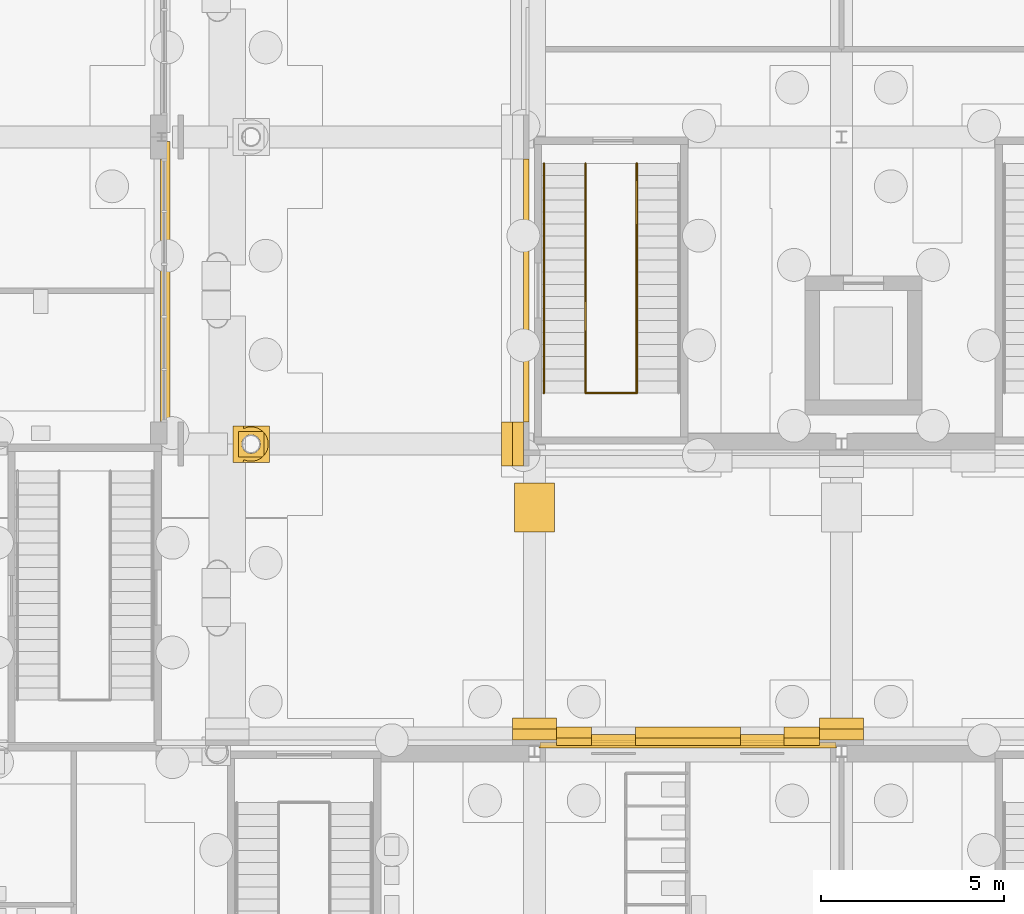
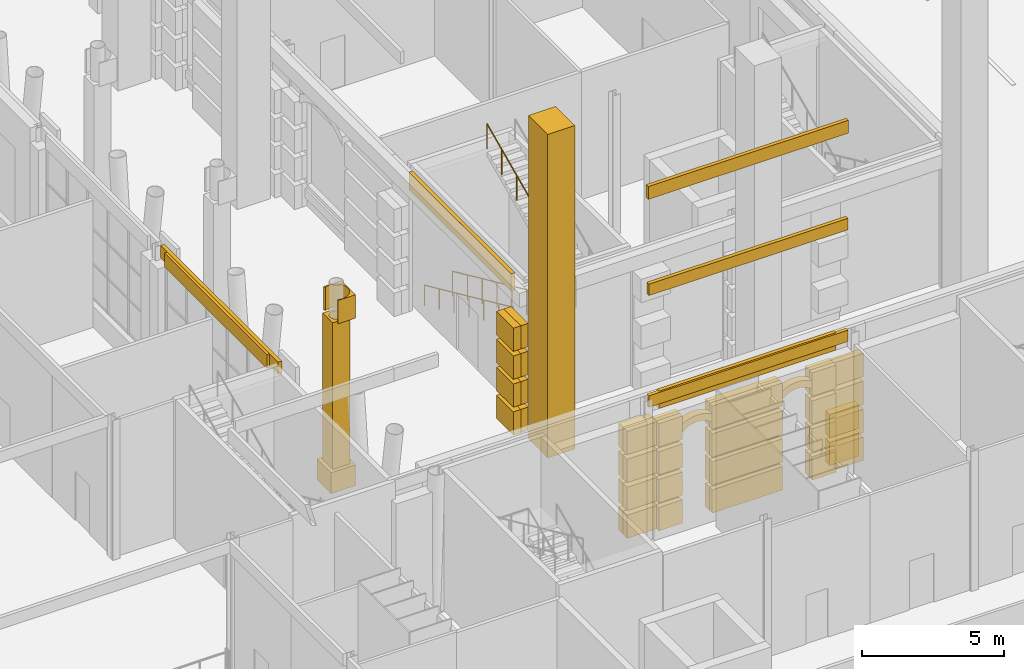
# One storey, part 147 of 222: 59 coverings, 4 railings.
"""IFC4 building model written with IfcOpenShell, lengths in metres."""

from ifc_helpers import new_model, si_unit, direction, frame, origin, origin_2d, place, context, subcontext, project, spatial, polyline, rectangle, circle, outline, extrude, material, layer, layer_set, type_object, element, save


model = new_model("IFC4")

# Units and contexts
model_context = context("Model", 3, precision=1e-05, world=origin(), true_north=direction((0.0, 1.0)))
body_context = subcontext(model_context, "Body", "Model", "MODEL_VIEW")
ifc_project = project(units=[si_unit("LENGTHUNIT", "METRE"), si_unit("AREAUNIT", "SQUARE_METRE"), si_unit("VOLUMEUNIT", "CUBIC_METRE"), si_unit("PLANEANGLEUNIT", "RADIAN"), si_unit("MASSUNIT", "GRAM", prefix="KILO")], contexts=[model_context])

# Site, building, storey
site_placement = place(None, origin())
site = spatial("IfcSite", under=ifc_project, at=site_placement, CompositionType="ELEMENT")
building_placement = place(site_placement, origin())
building = spatial("IfcBuilding", under=site, at=building_placement, Name="Sava Quay Ferry Terminal", CompositionType="ELEMENT")
storey_placement = place(building_placement, origin())
storey = spatial("IfcBuildingStorey", under=building, at=storey_placement, Name="L00", CompositionType="ELEMENT", Elevation=0.0)

# Coverings
ifc_material_1 = material(Name="Limestone Mutalj", Category="masonry")
ifc_layer_1 = layer(ifc_material_1, 0.300048828125)
ifc_layer_set_1 = layer_set([ifc_layer_1], Name="Limestone Mutalj")
covering_type_1 = type_object("IfcCoveringType", Name="Arch band 280", PredefinedType="MOLDING", material=ifc_layer_set_1)
for number, where, z_axis, x_axis, name in (
    (1, (93.96875, 50.56005859375, 3.89990234375), (0.0, -1.0, 0.0), (0.766042844353, 0.0, 0.642789515017), "Arch band"),
    (2, (98.03125, 50.56005859375, 3.89990234375), (0.0, -1.0, 0.0), (0.766042844353, 0.0, 0.642789515017), "Arch band"),
):
    element("IfcCovering", number, at=place(storey_placement, frame(where, z_axis=z_axis, x_axis=x_axis)), inside=storey, type_object=covering_type_1, Name=name, PredefinedType="MOLDING", context=body_context, shape_type="SweptSolid", body=[
        extrude(outline(polyline([(0.0, 0.0), (0.1564834757725232, 0.0), (0.29290987034562144, -0.02428279209876255), (0.4140838634817109, -0.06636278232810475), (0.522890396081421, -0.12356147789515273), (0.6202108720586751, -0.19406883930165053), (0.706733197838947, -0.2778246842578833), (0.781769466996763, -0.374889195053566), (0.8444382756181996, -0.4870724111869544), (0.8918546828026273, -0.6170528254509224), (0.9192140087876302, -0.771316031813653), (1.14849024937354, -0.4980766285911245), (1.098846716569099, -0.3703705716175788), (1.0380911714997962, -0.2562870425513622), (0.9674188801474346, -0.15364195753662468), (0.8881454730732465, -0.0616270455684631), (0.8002107679875174, 0.020445599778596002), (0.7043026713157206, 0.09263616079426751), (0.5997332766323826, 0.15488445518883656), (0.48656276622721817, 0.20650257653682963), (0.3634755095389949, 0.24668225383334366), (0.2292762405859099, 0.27323940322252854), (0.0, 0.0)])), origin(), (0.0, 0.0, -1.0), 0.300048828125),
    ])
ifc_material_2 = material(Name="Copper patinated")
ifc_layer_2 = layer(ifc_material_2, 0.25)
ifc_layer_set_2 = layer_set([ifc_layer_2], Name="Copper patinated")
covering_type_2 = type_object("IfcCoveringType", Name="Copper spandrel panel 250", PredefinedType="CLADDING", material=ifc_layer_set_2)
covering_1_placement = place(storey_placement, frame((82.300048828125, 59.39990234375, 5.39990234375), z_axis=(0.0, 0.0, 1.0), x_axis=(0.0, 1.0, 0.0)))
element("IfcCovering", 3, at=covering_1_placement, inside=storey, type_object=covering_type_2, Name="Spandrel panel D-E", PredefinedType="CLADDING", context=body_context, shape_type="SweptSolid", body=[
    extrude(outline(polyline([(0.0, 0.0), (7.2001953125, 0.0), (7.199951171875, 0.60009765625), (0.0, 0.60009765625), (0.0, 0.0)])), frame((0.0, 0.125, 0.0), z_axis=(0.0, -1.0, 0.0), x_axis=(1.0, 0.0, 0.0)), (0.0, 0.0, 1.0), 0.25),
])

# Railings
ifc_material_3 = material(Name="Steel S355", Category="steel")
railing_type_1 = type_object("IfcRailingType", Name="Guard 1100", PredefinedType="GUARDRAIL", material=ifc_material_3)
railing_1_placement = place(storey_placement, frame((93.800048828125, 66.469970703125, 0.14990234375)))
element("IfcRailing", 4, at=railing_1_placement, inside=storey, type_object=railing_type_1, Name="Guard at stair well ST-O1 L00", PredefinedType="GUARDRAIL", context=body_context, shape_type="SweptSolid", body=[
    extrude(circle(Radius=0.02392578125, at=origin_2d()), frame((0.0, 0.0, 1.076171875), z_axis=(0.0, -0.910361621584, 0.413813627068), x_axis=(1.0, 0.0, 0.0)), (0.0, 0.0, 1.0), 6.887451171875),
    extrude(circle(Radius=0.02099609375, at=origin_2d()), origin(), (0.0, 0.0, 1.0), 1.052001953125),
    extrude(circle(Radius=0.02099609375, at=origin_2d()), frame((0.0, -1.044921875, 0.47509765625)), (0.0, 0.0, 1.0), 1.052001953125),
    extrude(circle(Radius=0.02099609375, at=origin_2d()), frame((0.0, -2.090087890625, 0.949951171875)), (0.0, 0.0, 1.0), 1.052001953125),
    extrude(circle(Radius=0.02099609375, at=origin_2d()), frame((0.0, -3.135009765625, 1.425048828125)), (0.0, 0.0, 1.0), 1.052001953125),
    extrude(circle(Radius=0.02099609375, at=origin_2d()), frame((0.0, -4.179931640625, 1.900146484375)), (0.0, 0.0, 1.0), 1.052001953125),
    extrude(circle(Radius=0.02099609375, at=origin_2d()), frame((0.0, -5.22509765625, 2.375)), (0.0, 0.0, 1.0), 1.052001953125),
    extrude(circle(Radius=0.02099609375, at=origin_2d()), frame((0.0, -6.27001953125, 2.85009765625)), (0.0, 0.0, 1.0), 1.052001953125),
])
railing_2_placement = place(storey_placement, frame((95.199951171875, 60.199951171875, 3.14990234375)))
element("IfcRailing", 5, at=railing_2_placement, inside=storey, type_object=railing_type_1, Name="Guard at stair well ST-O1 L00", PredefinedType="GUARDRAIL", context=body_context, shape_type="SweptSolid", body=[
    extrude(circle(Radius=0.02392578125, at=origin_2d()), frame((0.0, 0.0, 1.076171875), z_axis=(0.0, 0.910361621584, 0.413813627068), x_axis=(-1.0, 0.0, 0.0)), (0.0, 0.0, 1.0), 6.887451171875),
    extrude(circle(Radius=0.02099609375, at=origin_2d()), origin(), (0.0, 0.0, 1.0), 1.052001953125),
    extrude(circle(Radius=0.02099609375, at=origin_2d()), frame((0.0, 1.044921875, 0.47509765625)), (0.0, 0.0, 1.0), 1.052001953125),
    extrude(circle(Radius=0.02099609375, at=origin_2d()), frame((0.0, 2.090087890625, 0.949951171875)), (0.0, 0.0, 1.0), 1.052001953125),
    extrude(circle(Radius=0.02099609375, at=origin_2d()), frame((0.0, 3.135009765625, 1.425048828125)), (0.0, 0.0, 1.0), 1.052001953125),
    extrude(circle(Radius=0.02099609375, at=origin_2d()), frame((0.0, 4.179931640625, 1.900146484375)), (0.0, 0.0, 1.0), 1.052001953125),
    extrude(circle(Radius=0.02099609375, at=origin_2d()), frame((0.0, 5.22509765625, 2.375)), (0.0, 0.0, 1.0), 1.052001953125),
    extrude(circle(Radius=0.02099609375, at=origin_2d()), frame((0.0, 6.27001953125, 2.85009765625)), (0.0, 0.0, 1.0), 1.052001953125),
])
railing_3_placement = place(storey_placement, frame((93.800048828125, 60.199951171875, 3.0)))
element("IfcRailing", 6, at=railing_3_placement, inside=storey, type_object=railing_type_1, Name="Guard at half landing ST-O1 L00", PredefinedType="GUARDRAIL", context=body_context, shape_type="SweptSolid", body=[
    extrude(circle(Radius=0.02392578125, at=origin_2d()), frame((0.0, 0.0, 1.076171875), z_axis=(1.0, 0.0, 0.0), x_axis=(0.0, 1.0, 0.0)), (0.0, 0.0, 1.0), 1.39990234375),
    extrude(circle(Radius=0.02099609375, at=origin_2d()), origin(), (0.0, 0.0, 1.0), 1.052001953125),
    extrude(circle(Radius=0.02099609375, at=origin_2d()), frame((0.699951171875, 0.0, 0.0)), (0.0, 0.0, 1.0), 1.052001953125),
    extrude(circle(Radius=0.02099609375, at=origin_2d()), frame((1.39990234375, 0.0, 0.0)), (0.0, 0.0, 1.0), 1.052001953125),
])

# Coverings
ifc_material_4 = material(Name="Limestone Mutalj", Category="masonry")
ifc_layer_3 = layer(ifc_material_4, 0.14990234375)
ifc_layer_set_3 = layer_set([ifc_layer_3], Name="Limestone Mutalj")
covering_type_3 = type_object("IfcCoveringType", Name="Limestone string course 150", PredefinedType="CLADDING", material=ifc_layer_set_3)
covering_2_placement = place(storey_placement, frame((0.0, 0.0, 5.25)))
element("IfcCovering", 7, at=covering_2_placement, inside=storey, type_object=covering_type_3, Name="String course P-N", PredefinedType="CLADDING", context=body_context, shape_type="SweptSolid", body=[
    extrude(outline(polyline([(93.0, 50.56005859375), (100.199951171875, 50.56005859375), (100.199951171875, 50.7099609375), (93.0, 50.7099609375), (93.0, 50.56005859375)])), origin(), (0.0, 0.0, 1.0), 0.75),
])
covering_3_placement = place(storey_placement, frame((0.0, 0.0, 5.25)))
element("IfcCovering", 8, at=covering_3_placement, inside=storey, type_object=covering_type_3, Name="String course O-W", PredefinedType="CLADDING", context=body_context, shape_type="SweptSolid", body=[
    extrude(outline(polyline([(92.25, 59.39990234375), (92.25, 66.60009765625), (92.10009765625, 66.60009765625), (92.10009765625, 59.39990234375), (92.25, 59.39990234375)])), origin(), (0.0, 0.0, 1.0), 0.75),
])
ifc_material_5 = material(Name="Limestone Mutalj", Category="masonry")
ifc_layer_4 = layer(ifc_material_5, 1.35009765625)
ifc_layer_set_4 = layer_set([ifc_layer_4], Name="Limestone Mutalj")
covering_type_4 = type_object("IfcCoveringType", Name="Portico pier 1100", PredefinedType="CLADDING", material=ifc_layer_set_4)
covering_4_placement = place(storey_placement, frame((92.39990234375, 57.06494140625, 0.0), z_axis=(0.0, 0.0, 1.0), x_axis=(1.0, 0.0, 0.0)))
element("IfcCovering", 9, at=covering_4_placement, inside=storey, type_object=covering_type_4, Name="Portico pier", PredefinedType="CLADDING", context=body_context, shape_type="SweptSolid", body=[
    extrude(rectangle(XDim=1.10009765625, YDim=1.35009765625, at=origin_2d()), origin(), (0.0, 0.0, 1.0), 13.89990234375),
])
ifc_material_6 = material(Name="Limestone Mutalj", Category="masonry")
ifc_layer_5 = layer(ifc_material_6, 1.0)
ifc_layer_set_5 = layer_set([ifc_layer_5], Name="Limestone Mutalj")
covering_type_5 = type_object("IfcCoveringType", Name="Post pier capital 1000", PredefinedType="MOLDING", material=ifc_layer_set_5)
covering_5_placement = place(storey_placement, frame((0.0, 0.0, 7.199951171875)))
element("IfcCovering", 10, at=covering_5_placement, inside=storey, type_object=covering_type_5, Name="Post pier capital", PredefinedType="MOLDING", context=body_context, shape_type="SweptSolid", body=[
    extrude(outline(polyline([(85.14990234375, 58.300048828125), (85.14990234375, 59.300048828125), (84.425048828125, 59.300048828125), (84.43505859375, 59.279052734375), (84.451904296875, 59.22607421875), (84.470947265625, 59.235107421875), (84.512939453125, 59.2490234375), (84.55908203125, 59.260986328125), (84.60498046875, 59.26806640625), (84.64892578125, 59.27001953125), (84.695068359375, 59.26806640625), (84.740966796875, 59.260986328125), (84.787109375, 59.2490234375), (84.8310546875, 59.23388671875), (84.87109375, 59.215087890625), (84.912109375, 59.18994140625), (84.948974609375, 59.1630859375), (84.98193359375, 59.133056640625), (85.012939453125, 59.09912109375), (85.041015625, 59.06005859375), (85.06494140625, 59.02099609375), (85.0849609375, 58.97900390625), (85.10009765625, 58.93505859375), (85.111083984375, 58.89306640625), (85.117919921875, 58.844970703125), (85.1201171875, 58.799072265625), (85.117919921875, 58.7548828125), (85.111083984375, 58.708984375), (85.10009765625, 58.6650390625), (85.083984375, 58.618896484375), (85.06396484375, 58.577880859375), (85.0400390625, 58.5380859375), (85.012939453125, 58.5009765625), (84.98291015625, 58.468017578125), (84.948974609375, 58.43701171875), (84.912109375, 58.409912109375), (84.87109375, 58.385009765625), (84.8310546875, 58.365966796875), (84.787109375, 58.35107421875), (84.740966796875, 58.339111328125), (84.695068359375, 58.33203125), (84.64892578125, 58.330078125), (84.60498046875, 58.33203125), (84.55908203125, 58.339111328125), (84.512939453125, 58.35107421875), (84.470947265625, 58.364990234375), (84.451904296875, 58.3740234375), (84.43505859375, 58.321044921875), (84.425048828125, 58.300048828125), (85.14990234375, 58.300048828125)])), origin(), (0.0, 0.0, 1.0), 1.0),
])
ifc_material_7 = material(Name="Limestone Mutalj", Category="masonry")
ifc_layer_6 = layer(ifc_material_7, 1.0)
ifc_layer_set_6 = layer_set([ifc_layer_6], Name="Limestone Mutalj")
covering_type_6 = type_object("IfcCoveringType", Name="Post pier plinth 1000", PredefinedType="MOLDING", material=ifc_layer_set_6)
covering_6_placement = place(storey_placement, origin())
element("IfcCovering", 11, at=covering_6_placement, inside=storey, type_object=covering_type_6, Name="Post pier plinth", PredefinedType="MOLDING", context=body_context, shape_type="SweptSolid", body=[
    extrude(outline(polyline([(84.14990234375, 58.300048828125), (85.14990234375, 58.300048828125), (85.14990234375, 59.300048828125), (84.14990234375, 59.300048828125), (84.14990234375, 58.300048828125)]), holes=[polyline([(84.89990234375, 58.85009765625), (84.905029296875, 58.800048828125), (84.89990234375, 58.75), (84.885986328125, 58.701904296875), (84.862060546875, 58.657958984375), (84.830078125, 58.6201171875), (84.7919921875, 58.587890625), (84.748046875, 58.56396484375), (84.699951171875, 58.550048828125), (84.64990234375, 58.544921875), (84.60009765625, 58.550048828125), (84.552001953125, 58.56396484375), (84.508056640625, 58.587890625), (84.469970703125, 58.6201171875), (84.43798828125, 58.657958984375), (84.4140625, 58.701904296875), (84.39990234375, 58.75), (84.39501953125, 58.800048828125), (84.39990234375, 58.85009765625), (84.4140625, 58.89794921875), (84.43798828125, 58.94189453125), (84.469970703125, 58.97998046875), (84.508056640625, 59.011962890625), (84.552001953125, 59.035888671875), (84.60009765625, 59.050048828125), (84.64990234375, 59.054931640625), (84.699951171875, 59.050048828125), (84.748046875, 59.035888671875), (84.7919921875, 59.011962890625), (84.830078125, 58.97998046875), (84.862060546875, 58.94189453125), (84.885986328125, 58.89794921875), (84.89990234375, 58.85009765625)])]), origin(), (0.0, 0.0, 1.0), 0.89990234375),
])
ifc_material_8 = material(Name="Limestone Mutalj", Category="masonry")
ifc_layer_7 = layer(ifc_material_8, 0.699951171875)
ifc_layer_set_7 = layer_set([ifc_layer_7], Name="Limestone Mutalj")
covering_type_7 = type_object("IfcCoveringType", Name="Post pier shaft 700", PredefinedType="CLADDING", material=ifc_layer_set_7)
covering_7_placement = place(storey_placement, frame((0.0, 0.0, 0.89990234375)))
element("IfcCovering", 12, at=covering_7_placement, inside=storey, type_object=covering_type_7, Name="Post pier shaft", PredefinedType="CLADDING", context=body_context, shape_type="SweptSolid", body=[
    extrude(outline(polyline([(84.300048828125, 58.449951171875), (85.0, 58.449951171875), (85.0, 59.14990234375), (84.300048828125, 59.14990234375), (84.300048828125, 58.449951171875)]), holes=[polyline([(84.89990234375, 58.85009765625), (84.905029296875, 58.800048828125), (84.89990234375, 58.75), (84.885986328125, 58.701904296875), (84.862060546875, 58.657958984375), (84.830078125, 58.6201171875), (84.7919921875, 58.587890625), (84.748046875, 58.56396484375), (84.699951171875, 58.550048828125), (84.64990234375, 58.544921875), (84.60009765625, 58.550048828125), (84.552001953125, 58.56396484375), (84.508056640625, 58.587890625), (84.469970703125, 58.6201171875), (84.43798828125, 58.657958984375), (84.4140625, 58.701904296875), (84.39990234375, 58.75), (84.39501953125, 58.800048828125), (84.39990234375, 58.85009765625), (84.4140625, 58.89794921875), (84.43798828125, 58.94189453125), (84.469970703125, 58.97998046875), (84.508056640625, 59.011962890625), (84.552001953125, 59.035888671875), (84.60009765625, 59.050048828125), (84.64990234375, 59.054931640625), (84.699951171875, 59.050048828125), (84.748046875, 59.035888671875), (84.7919921875, 59.011962890625), (84.830078125, 58.97998046875), (84.862060546875, 58.94189453125), (84.885986328125, 58.89794921875), (84.89990234375, 58.85009765625)])]), origin(), (0.0, 0.0, 1.0), 6.300048828125),
])
ifc_material_9 = material(Name="Limestone Mutalj", Category="masonry")
ifc_layer_8 = layer(ifc_material_9, 0.300048828125)
ifc_layer_set_8 = layer_set([ifc_layer_8], Name="Limestone Mutalj")
covering_type_8 = type_object("IfcCoveringType", Name="Rusticated course deepening 300", PredefinedType="CLADDING", material=ifc_layer_set_8)
for number, where, z_axis, x_axis, name in (
    (13, (91.64990234375, 58.800048828125, 0.0), (0.0, 0.0, 1.0), (1.0, 0.0, 0.0), "Rusticated course deepening"),
    (14, (91.64990234375, 58.800048828125, 1.199951171875), (0.0, 0.0, 1.0), (1.0, 0.0, 0.0), "Rusticated course deepening"),
    (15, (91.64990234375, 58.800048828125, 2.39990234375), (0.0, 0.0, 1.0), (1.0, 0.0, 0.0), "Rusticated course deepening"),
    (16, (91.64990234375, 58.800048828125, 3.60009765625), (0.0, 0.0, 1.0), (1.0, 0.0, 0.0), "Rusticated course deepening"),
):
    element("IfcCovering", number, at=place(storey_placement, frame(where, z_axis=z_axis, x_axis=x_axis)), inside=storey, type_object=covering_type_8, Name=name, PredefinedType="CLADDING", context=body_context, shape_type="SweptSolid", body=[
        extrude(rectangle(XDim=0.300048828125, YDim=1.199951171875, at=origin_2d()), origin(), (0.0, 0.0, 1.0), 1.0),
    ])
for number, where, z_axis, x_axis, name in (
    (17, (100.800048828125, 51.159912109375, 0.0), (0.0, 0.0, 1.0), (1.0, 0.0, 0.0), "Rusticated course deepening"),
    (18, (100.800048828125, 51.159912109375, 1.199951171875), (0.0, 0.0, 1.0), (1.0, 0.0, 0.0), "Rusticated course deepening"),
    (19, (92.39990234375, 51.159912109375, 0.0), (0.0, 0.0, 1.0), (1.0, 0.0, 0.0), "Rusticated course deepening"),
    (20, (92.39990234375, 51.159912109375, 1.199951171875), (0.0, 0.0, 1.0), (1.0, 0.0, 0.0), "Rusticated course deepening"),
    (21, (92.39990234375, 51.159912109375, 2.39990234375), (0.0, 0.0, 1.0), (1.0, 0.0, 0.0), "Rusticated course deepening"),
    (22, (92.39990234375, 51.159912109375, 3.60009765625), (0.0, 0.0, 1.0), (1.0, 0.0, 0.0), "Rusticated course deepening"),
):
    element("IfcCovering", number, at=place(storey_placement, frame(where, z_axis=z_axis, x_axis=x_axis)), inside=storey, type_object=covering_type_8, Name=name, PredefinedType="CLADDING", context=body_context, shape_type="SweptSolid", body=[
        extrude(rectangle(XDim=1.199951171875, YDim=0.300048828125, at=origin_2d()), origin(), (0.0, 0.0, 1.0), 1.0),
    ])
covering_8_placement = place(storey_placement, frame((93.484375, 50.909912109375, 0.0), z_axis=(0.0, 0.0, 1.0), x_axis=(1.0, 0.0, 0.0)))
element("IfcCovering", 23, at=covering_8_placement, inside=storey, type_object=covering_type_8, Name="Rusticated course deepening", PredefinedType="CLADDING", context=body_context, shape_type="SweptSolid", body=[
    extrude(rectangle(XDim=0.96875, YDim=0.300048828125, at=origin_2d()), origin(), (0.0, 0.0, 1.0), 1.0),
])
covering_9_placement = place(storey_placement, frame((96.60009765625, 50.909912109375, 0.0), z_axis=(0.0, 0.0, 1.0), x_axis=(1.0, 0.0, 0.0)))
element("IfcCovering", 24, at=covering_9_placement, inside=storey, type_object=covering_type_8, Name="Rusticated course deepening", PredefinedType="CLADDING", context=body_context, shape_type="SweptSolid", body=[
    extrude(rectangle(XDim=2.862548828125, YDim=0.300048828125, at=origin_2d()), origin(), (0.0, 0.0, 1.0), 1.0),
])
for number, where, z_axis, x_axis, name in (
    (25, (99.715576171875, 50.909912109375, 0.0), (0.0, 0.0, 1.0), (1.0, 0.0, 0.0), "Rusticated course deepening"),
    (26, (93.484375, 50.909912109375, 1.199951171875), (0.0, 0.0, 1.0), (1.0, 0.0, 0.0), "Rusticated course deepening"),
):
    element("IfcCovering", number, at=place(storey_placement, frame(where, z_axis=z_axis, x_axis=x_axis)), inside=storey, type_object=covering_type_8, Name=name, PredefinedType="CLADDING", context=body_context, shape_type="SweptSolid", body=[
        extrude(rectangle(XDim=0.96875, YDim=0.300048828125, at=origin_2d()), origin(), (0.0, 0.0, 1.0), 1.0),
    ])
covering_10_placement = place(storey_placement, frame((96.60009765625, 50.909912109375, 1.199951171875), z_axis=(0.0, 0.0, 1.0), x_axis=(1.0, 0.0, 0.0)))
element("IfcCovering", 27, at=covering_10_placement, inside=storey, type_object=covering_type_8, Name="Rusticated course deepening", PredefinedType="CLADDING", context=body_context, shape_type="SweptSolid", body=[
    extrude(rectangle(XDim=2.862548828125, YDim=0.300048828125, at=origin_2d()), origin(), (0.0, 0.0, 1.0), 1.0),
])
for number, where, z_axis, x_axis, name in (
    (28, (99.715576171875, 50.909912109375, 1.199951171875), (0.0, 0.0, 1.0), (1.0, 0.0, 0.0), "Rusticated course deepening"),
    (29, (93.484375, 50.909912109375, 2.39990234375), (0.0, 0.0, 1.0), (1.0, 0.0, 0.0), "Rusticated course deepening"),
):
    element("IfcCovering", number, at=place(storey_placement, frame(where, z_axis=z_axis, x_axis=x_axis)), inside=storey, type_object=covering_type_8, Name=name, PredefinedType="CLADDING", context=body_context, shape_type="SweptSolid", body=[
        extrude(rectangle(XDim=0.96875, YDim=0.300048828125, at=origin_2d()), origin(), (0.0, 0.0, 1.0), 1.0),
    ])
covering_11_placement = place(storey_placement, frame((96.60009765625, 50.909912109375, 2.39990234375), z_axis=(0.0, 0.0, 1.0), x_axis=(1.0, 0.0, 0.0)))
element("IfcCovering", 30, at=covering_11_placement, inside=storey, type_object=covering_type_8, Name="Rusticated course deepening", PredefinedType="CLADDING", context=body_context, shape_type="SweptSolid", body=[
    extrude(rectangle(XDim=2.862548828125, YDim=0.300048828125, at=origin_2d()), origin(), (0.0, 0.0, 1.0), 1.0),
])
for number, where, z_axis, x_axis, name in (
    (31, (99.715576171875, 50.909912109375, 2.39990234375), (0.0, 0.0, 1.0), (1.0, 0.0, 0.0), "Rusticated course deepening"),
    (32, (93.484375, 50.909912109375, 3.60009765625), (0.0, 0.0, 1.0), (1.0, 0.0, 0.0), "Rusticated course deepening"),
):
    element("IfcCovering", number, at=place(storey_placement, frame(where, z_axis=z_axis, x_axis=x_axis)), inside=storey, type_object=covering_type_8, Name=name, PredefinedType="CLADDING", context=body_context, shape_type="SweptSolid", body=[
        extrude(rectangle(XDim=0.96875, YDim=0.300048828125, at=origin_2d()), origin(), (0.0, 0.0, 1.0), 1.0),
    ])
covering_12_placement = place(storey_placement, frame((96.60009765625, 50.909912109375, 3.60009765625), z_axis=(0.0, 0.0, 1.0), x_axis=(1.0, 0.0, 0.0)))
element("IfcCovering", 33, at=covering_12_placement, inside=storey, type_object=covering_type_8, Name="Rusticated course deepening", PredefinedType="CLADDING", context=body_context, shape_type="SweptSolid", body=[
    extrude(rectangle(XDim=2.862548828125, YDim=0.300048828125, at=origin_2d()), origin(), (0.0, 0.0, 1.0), 1.0),
])
covering_13_placement = place(storey_placement, frame((99.715576171875, 50.909912109375, 3.60009765625), z_axis=(0.0, 0.0, 1.0), x_axis=(1.0, 0.0, 0.0)))
element("IfcCovering", 34, at=covering_13_placement, inside=storey, type_object=covering_type_8, Name="Rusticated course deepening", PredefinedType="CLADDING", context=body_context, shape_type="SweptSolid", body=[
    extrude(rectangle(XDim=0.96875, YDim=0.300048828125, at=origin_2d()), origin(), (0.0, 0.0, 1.0), 1.0),
])
ifc_material_10 = material(Name="Limestone Mutalj", Category="masonry")
ifc_layer_9 = layer(ifc_material_10, 0.300048828125)
ifc_layer_set_9 = layer_set([ifc_layer_9], Name="Limestone Mutalj")
covering_type_9 = type_object("IfcCoveringType", Name="Rusticated pier course 300", PredefinedType="CLADDING", material=ifc_layer_set_9)
for number, where, z_axis, x_axis, name in (
    (35, (91.949951171875, 58.800048828125, 0.0), (0.0, 0.0, 1.0), (1.0, 0.0, 0.0), "Rusticated pier course"),
    (36, (91.949951171875, 58.800048828125, 1.199951171875), (0.0, 0.0, 1.0), (1.0, 0.0, 0.0), "Rusticated pier course"),
    (37, (91.949951171875, 58.800048828125, 2.39990234375), (0.0, 0.0, 1.0), (1.0, 0.0, 0.0), "Rusticated pier course"),
    (38, (91.949951171875, 58.800048828125, 3.60009765625), (0.0, 0.0, 1.0), (1.0, 0.0, 0.0), "Rusticated pier course"),
):
    element("IfcCovering", number, at=place(storey_placement, frame(where, z_axis=z_axis, x_axis=x_axis)), inside=storey, type_object=covering_type_9, Name=name, PredefinedType="CLADDING", context=body_context, shape_type="SweptSolid", body=[
        extrude(rectangle(XDim=0.300048828125, YDim=1.199951171875, at=origin_2d()), origin(), (0.0, 0.0, 1.0), 1.0),
    ])
for number, where, z_axis, x_axis, name in (
    (39, (92.39990234375, 50.860107421875, 0.0), (0.0, 0.0, 1.0), (1.0, 0.0, 0.0), "Rusticated pier course"),
    (40, (92.39990234375, 50.860107421875, 1.199951171875), (0.0, 0.0, 1.0), (1.0, 0.0, 0.0), "Rusticated pier course"),
    (41, (92.39990234375, 50.860107421875, 2.39990234375), (0.0, 0.0, 1.0), (1.0, 0.0, 0.0), "Rusticated pier course"),
    (42, (92.39990234375, 50.860107421875, 3.60009765625), (0.0, 0.0, 1.0), (1.0, 0.0, 0.0), "Rusticated pier course"),
    (43, (100.800048828125, 50.860107421875, 0.0), (0.0, 0.0, 1.0), (1.0, 0.0, 0.0), "Rusticated pier course"),
    (44, (100.800048828125, 50.860107421875, 1.199951171875), (0.0, 0.0, 1.0), (1.0, 0.0, 0.0), "Rusticated pier course"),
    (45, (100.800048828125, 50.860107421875, 2.39990234375), (0.0, 0.0, 1.0), (1.0, 0.0, 0.0), "Rusticated pier course"),
    (46, (100.800048828125, 50.860107421875, 3.60009765625), (0.0, 0.0, 1.0), (1.0, 0.0, 0.0), "Rusticated pier course"),
):
    element("IfcCovering", number, at=place(storey_placement, frame(where, z_axis=z_axis, x_axis=x_axis)), inside=storey, type_object=covering_type_9, Name=name, PredefinedType="CLADDING", context=body_context, shape_type="SweptSolid", body=[
        extrude(rectangle(XDim=1.199951171875, YDim=0.300048828125, at=origin_2d()), origin(), (0.0, 0.0, 1.0), 1.0),
    ])
ifc_material_11 = material(Name="Limestone Mutalj", Category="masonry")
ifc_layer_10 = layer(ifc_material_11, 0.199951171875)
ifc_layer_set_10 = layer_set([ifc_layer_10], Name="Limestone Mutalj")
covering_type_10 = type_object("IfcCoveringType", Name="Rusticated wall course 200", PredefinedType="CLADDING", material=ifc_layer_set_10)
covering_14_placement = place(storey_placement, frame((93.484375, 50.659912109375, 0.0), z_axis=(0.0, 0.0, 1.0), x_axis=(1.0, 0.0, 0.0)))
element("IfcCovering", 47, at=covering_14_placement, inside=storey, type_object=covering_type_10, Name="Rusticated wall course", PredefinedType="CLADDING", context=body_context, shape_type="SweptSolid", body=[
    extrude(rectangle(XDim=0.96875, YDim=0.199951171875, at=origin_2d()), origin(), (0.0, 0.0, 1.0), 1.0),
])
covering_15_placement = place(storey_placement, frame((96.60009765625, 50.659912109375, 0.0), z_axis=(0.0, 0.0, 1.0), x_axis=(1.0, 0.0, 0.0)))
element("IfcCovering", 48, at=covering_15_placement, inside=storey, type_object=covering_type_10, Name="Rusticated wall course", PredefinedType="CLADDING", context=body_context, shape_type="SweptSolid", body=[
    extrude(rectangle(XDim=2.862548828125, YDim=0.199951171875, at=origin_2d()), origin(), (0.0, 0.0, 1.0), 1.0),
])
for number, where, z_axis, x_axis, name in (
    (49, (99.715576171875, 50.659912109375, 0.0), (0.0, 0.0, 1.0), (1.0, 0.0, 0.0), "Rusticated wall course"),
    (50, (93.484375, 50.659912109375, 1.199951171875), (0.0, 0.0, 1.0), (1.0, 0.0, 0.0), "Rusticated wall course"),
):
    element("IfcCovering", number, at=place(storey_placement, frame(where, z_axis=z_axis, x_axis=x_axis)), inside=storey, type_object=covering_type_10, Name=name, PredefinedType="CLADDING", context=body_context, shape_type="SweptSolid", body=[
        extrude(rectangle(XDim=0.96875, YDim=0.199951171875, at=origin_2d()), origin(), (0.0, 0.0, 1.0), 1.0),
    ])
covering_16_placement = place(storey_placement, frame((96.60009765625, 50.659912109375, 1.199951171875), z_axis=(0.0, 0.0, 1.0), x_axis=(1.0, 0.0, 0.0)))
element("IfcCovering", 51, at=covering_16_placement, inside=storey, type_object=covering_type_10, Name="Rusticated wall course", PredefinedType="CLADDING", context=body_context, shape_type="SweptSolid", body=[
    extrude(rectangle(XDim=2.862548828125, YDim=0.199951171875, at=origin_2d()), origin(), (0.0, 0.0, 1.0), 1.0),
])
for number, where, z_axis, x_axis, name in (
    (52, (99.715576171875, 50.659912109375, 1.199951171875), (0.0, 0.0, 1.0), (1.0, 0.0, 0.0), "Rusticated wall course"),
    (53, (93.484375, 50.659912109375, 2.39990234375), (0.0, 0.0, 1.0), (1.0, 0.0, 0.0), "Rusticated wall course"),
):
    element("IfcCovering", number, at=place(storey_placement, frame(where, z_axis=z_axis, x_axis=x_axis)), inside=storey, type_object=covering_type_10, Name=name, PredefinedType="CLADDING", context=body_context, shape_type="SweptSolid", body=[
        extrude(rectangle(XDim=0.96875, YDim=0.199951171875, at=origin_2d()), origin(), (0.0, 0.0, 1.0), 1.0),
    ])
covering_17_placement = place(storey_placement, frame((96.60009765625, 50.659912109375, 2.39990234375), z_axis=(0.0, 0.0, 1.0), x_axis=(1.0, 0.0, 0.0)))
element("IfcCovering", 54, at=covering_17_placement, inside=storey, type_object=covering_type_10, Name="Rusticated wall course", PredefinedType="CLADDING", context=body_context, shape_type="SweptSolid", body=[
    extrude(rectangle(XDim=2.862548828125, YDim=0.199951171875, at=origin_2d()), origin(), (0.0, 0.0, 1.0), 1.0),
])
for number, where, z_axis, x_axis, name in (
    (55, (99.715576171875, 50.659912109375, 2.39990234375), (0.0, 0.0, 1.0), (1.0, 0.0, 0.0), "Rusticated wall course"),
    (56, (93.484375, 50.659912109375, 3.60009765625), (0.0, 0.0, 1.0), (1.0, 0.0, 0.0), "Rusticated wall course"),
):
    element("IfcCovering", number, at=place(storey_placement, frame(where, z_axis=z_axis, x_axis=x_axis)), inside=storey, type_object=covering_type_10, Name=name, PredefinedType="CLADDING", context=body_context, shape_type="SweptSolid", body=[
        extrude(rectangle(XDim=0.96875, YDim=0.199951171875, at=origin_2d()), origin(), (0.0, 0.0, 1.0), 1.0),
    ])
covering_18_placement = place(storey_placement, frame((96.60009765625, 50.659912109375, 3.60009765625), z_axis=(0.0, 0.0, 1.0), x_axis=(1.0, 0.0, 0.0)))
element("IfcCovering", 57, at=covering_18_placement, inside=storey, type_object=covering_type_10, Name="Rusticated wall course", PredefinedType="CLADDING", context=body_context, shape_type="SweptSolid", body=[
    extrude(rectangle(XDim=2.862548828125, YDim=0.199951171875, at=origin_2d()), origin(), (0.0, 0.0, 1.0), 1.0),
])
covering_19_placement = place(storey_placement, frame((99.715576171875, 50.659912109375, 3.60009765625), z_axis=(0.0, 0.0, 1.0), x_axis=(1.0, 0.0, 0.0)))
element("IfcCovering", 58, at=covering_19_placement, inside=storey, type_object=covering_type_10, Name="Rusticated wall course", PredefinedType="CLADDING", context=body_context, shape_type="SweptSolid", body=[
    extrude(rectangle(XDim=0.96875, YDim=0.199951171875, at=origin_2d()), origin(), (0.0, 0.0, 1.0), 1.0),
])
ifc_material_12 = material(Name="Limestone Mutalj", Category="masonry")
ifc_layer_11 = layer(ifc_material_12, 0.14990234375)
ifc_layer_set_11 = layer_set([ifc_layer_11], Name="Limestone Mutalj")
covering_type_11 = type_object("IfcCoveringType", Name="Slab edge fascia 150", PredefinedType="CLADDING", material=ifc_layer_set_11)
covering_20_placement = place(storey_placement, frame((0.0, 0.0, 5.510009765625)))
element("IfcCovering", 59, at=covering_20_placement, inside=storey, type_object=covering_type_11, Name="Slab edge fascia", PredefinedType="CLADDING", context=body_context, shape_type="SweptSolid", body=[
    extrude(outline(polyline([(92.550048828125, 50.633056640625), (92.550048828125, 50.48291015625), (100.64990234375, 50.48291015625), (100.64990234375, 50.633056640625), (92.550048828125, 50.633056640625)])), origin(), (0.0, 0.0, 1.0), 0.489990234375),
])
covering_21_placement = place(storey_placement, frame((0.0, 0.0, 5.469970703125)))
element("IfcCovering", 60, at=covering_21_placement, inside=storey, type_object=covering_type_11, Name="Slab edge fascia", PredefinedType="CLADDING", context=body_context, shape_type="SweptSolid", body=[
    extrude(outline(polyline([(82.2880859375, 67.080078125), (82.2880859375, 58.800048828125), (82.43798828125, 58.800048828125), (82.43798828125, 67.080078125), (82.2880859375, 67.080078125)])), origin(), (0.0, 0.0, 1.0), 0.530029296875),
])
covering_22_placement = place(storey_placement, frame((0.0, 0.0, 10.31005859375)))
element("IfcCovering", 61, at=covering_22_placement, inside=storey, type_object=covering_type_11, Name="Slab edge fascia", PredefinedType="CLADDING", context=body_context, shape_type="SweptSolid", body=[
    extrude(outline(polyline([(92.550048828125, 50.633056640625), (92.550048828125, 50.48291015625), (100.64990234375, 50.48291015625), (100.64990234375, 50.633056640625), (92.550048828125, 50.633056640625)])), origin(), (0.0, 0.0, 1.0), 0.489990234375),
])
covering_23_placement = place(storey_placement, frame((0.0, 0.0, 14.449951171875)))
element("IfcCovering", 62, at=covering_23_placement, inside=storey, type_object=covering_type_11, Name="Slab edge fascia", PredefinedType="CLADDING", context=body_context, shape_type="SweptSolid", body=[
    extrude(outline(polyline([(92.530029296875, 50.637939453125), (92.530029296875, 50.488037109375), (100.669921875, 50.488037109375), (100.669921875, 50.637939453125), (92.530029296875, 50.637939453125)])), origin(), (0.0, 0.0, 1.0), 0.550048828125),
])

# Railing
ifc_material_13 = material(Name="Steel S355", Category="steel")
railing_type_2 = type_object("IfcRailingType", Name="Stair handrail 900", PredefinedType="HANDRAIL", material=ifc_material_13)
railing_4_placement = place(storey_placement, frame((92.659912109375, 66.469970703125, 0.14990234375)))
element("IfcRailing", 63, at=railing_4_placement, inside=storey, type_object=railing_type_2, Name="Handrail ST-O1 L00", PredefinedType="HANDRAIL", context=body_context, shape_type="SweptSolid", body=[
    extrude(circle(Radius=0.02392578125, at=origin_2d()), frame((0.0, 0.0, 0.8759765625), z_axis=(0.0, -0.910361621584, 0.413813627068), x_axis=(1.0, 0.0, 0.0)), (0.0, 0.0, 1.0), 6.887451171875),
    extrude(circle(Radius=0.02099609375, at=origin_2d()), origin(), (0.0, 0.0, 1.0), 0.851806640625),
    extrude(circle(Radius=0.02099609375, at=origin_2d()), frame((0.0, -1.044921875, 0.47509765625)), (0.0, 0.0, 1.0), 0.851806640625),
    extrude(circle(Radius=0.02099609375, at=origin_2d()), frame((0.0, -2.090087890625, 0.949951171875)), (0.0, 0.0, 1.0), 0.851806640625),
    extrude(circle(Radius=0.02099609375, at=origin_2d()), frame((0.0, -3.135009765625, 1.425048828125)), (0.0, 0.0, 1.0), 0.851806640625),
    extrude(circle(Radius=0.02099609375, at=origin_2d()), frame((0.0, -4.179931640625, 1.900146484375)), (0.0, 0.0, 1.0), 0.851806640625),
    extrude(circle(Radius=0.02099609375, at=origin_2d()), frame((0.0, -5.22509765625, 2.375)), (0.0, 0.0, 1.0), 0.851806640625),
    extrude(circle(Radius=0.02099609375, at=origin_2d()), frame((0.0, -6.27001953125, 2.85009765625)), (0.0, 0.0, 1.0), 0.851806640625),
])

save(model, "model.ifc")
